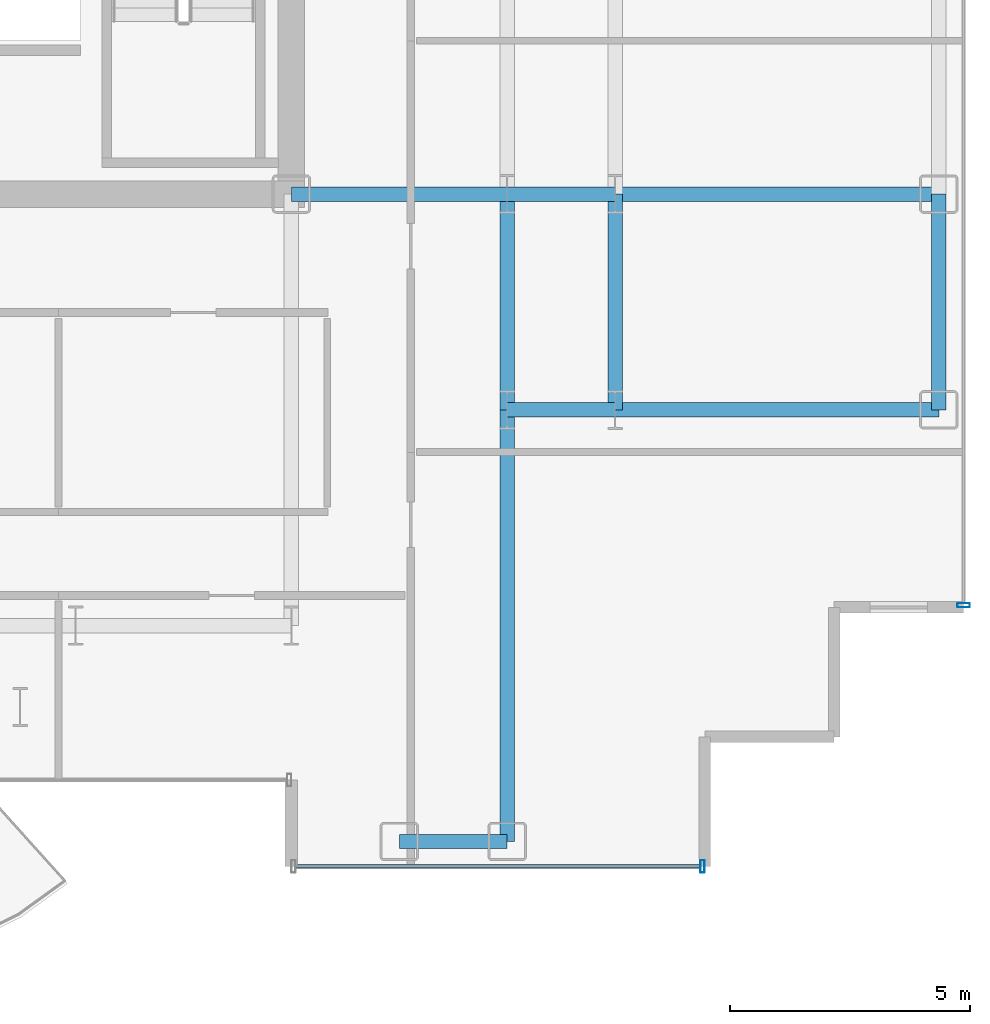
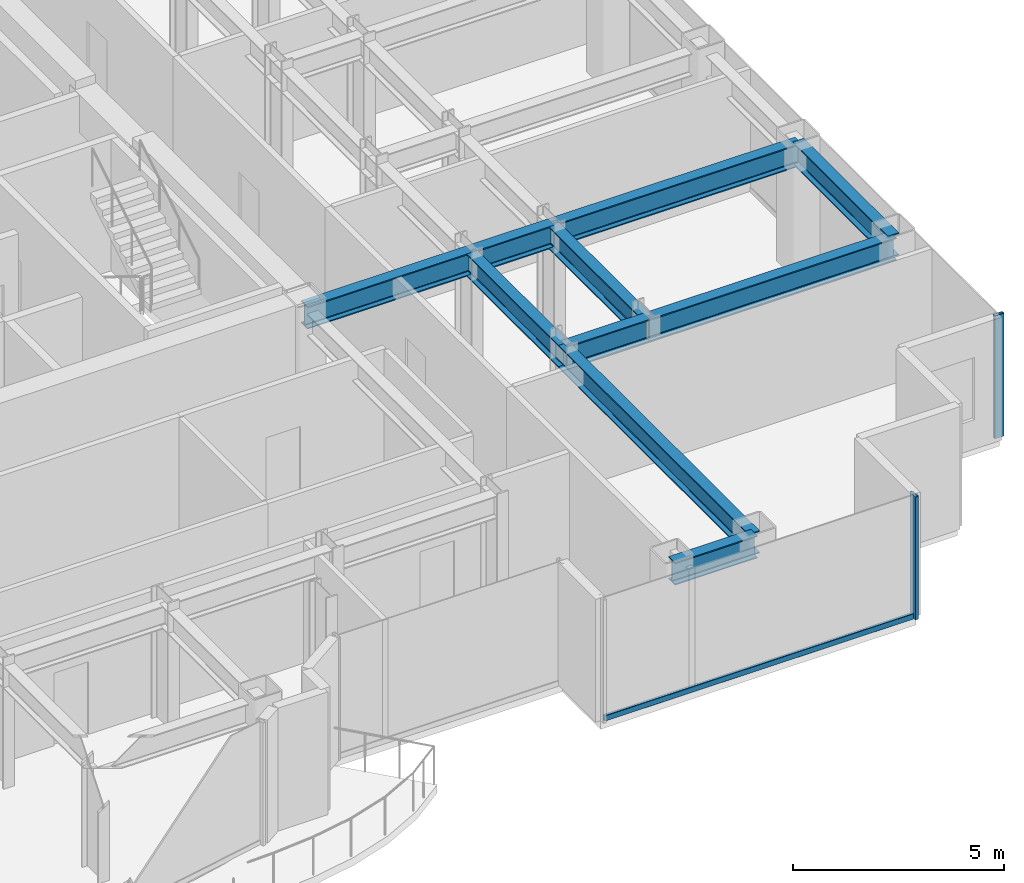
# One storey, part 8 of 22: 10 beams, 3 members, 2 elements without a shape of their own.
"""IFC4 building model written with IfcOpenShell, lengths in metres."""

from ifc_helpers import new_model, si_unit, direction, frame, origin, origin_2d, place, context, subcontext, project, spatial, hollow_rectangle, i_section, extrude, source, transform, mapped, material, layer, layer_set, material_profile, profile_set, type_object, element, aggregate, save


model = new_model("IFC4")

# Units and contexts
model_context = context("Model", 3, precision=1e-05, world=origin(), true_north=direction((0.0, 1.0)))
body_context = subcontext(model_context, "Body", "Model", "MODEL_VIEW")
ifc_project = project(units=[si_unit("LENGTHUNIT", "METRE"), si_unit("AREAUNIT", "SQUARE_METRE"), si_unit("VOLUMEUNIT", "CUBIC_METRE"), si_unit("PLANEANGLEUNIT", "RADIAN"), si_unit("MASSUNIT", "GRAM", prefix="KILO")], contexts=[model_context])

# Site, building, storey
site_placement = place(None, origin())
site = spatial("IfcSite", under=ifc_project, at=site_placement, CompositionType="ELEMENT")
building_placement = place(site_placement, origin())
building = spatial("IfcBuilding", under=site, at=building_placement, Name="Nefas-Gora Pilgrimage Tower", CompositionType="ELEMENT")
storey_placement = place(building_placement, frame((0.0, 0.0, 186.800048828125)))
storey = spatial("IfcBuildingStorey", under=building, at=storey_placement, Name="L46", CompositionType="ELEMENT", Elevation=186.800048828125)

# Beams
ifc_material_1 = material(Name="Steel S355", Category="steel")
ifc_material_profile_1 = material_profile(ifc_material_1, i_section(OverallWidth=0.300048828125, OverallDepth=0.64990234375, WebThickness=0.01611328125, FlangeThickness=0.031005859375, FilletRadius=0.027099609375, at=origin_2d()), Name="HEB 650")
ifc_profile_set_1 = profile_set([ifc_material_profile_1], Name="Steel S355")
beam_type_1 = type_object("IfcBeamType", Name="BM-SPN-HEB500", PredefinedType="SPANDREL", material=ifc_profile_set_1)
shared_shape_1 = source(origin(), body_context, "Body", "SweptSolid", [
    extrude(i_section(OverallWidth=0.300048828125, OverallDepth=0.64990234375, WebThickness=0.01611328125, FlangeThickness=0.031005859375, FilletRadius=0.027099609375, at=origin_2d()), origin(), (0.0, 0.0, 1.0), 4.5),
])
beam_1_placement = place(storey_placement, frame((24.75, -13.5, 3.224853515625), z_axis=(0.0, 1.0, 0.0), x_axis=(-1.0, 0.0, 0.0)))
element("IfcBeam", 1, at=beam_1_placement, inside=storey, type_object=beam_type_1, Name="L46 SP-02 beam", PredefinedType="SPANDREL", context=body_context, shape_type="MappedRepresentation", body=[
    mapped(shared_shape_1, transform((0.0, 0.0, 0.0), x_axis=(1.0, 0.0, 0.0), y_axis=(0.0, 1.0, 0.0), z_axis=(0.0, 0.0, 1.0), scale=1.0)),
])
ifc_material_profile_2 = material_profile(ifc_material_1, i_section(OverallWidth=0.300048828125, OverallDepth=0.64990234375, WebThickness=0.01611328125, FlangeThickness=0.031005859375, FilletRadius=0.027099609375, at=origin_2d()), Name="HEB 650")
ifc_profile_set_2 = profile_set([ifc_material_profile_2], Name="Steel S355")
beam_type_2 = type_object("IfcBeamType", Name="BM-GIR-HEB650", PredefinedType="BEAM", material=ifc_profile_set_2)
shared_shape_2 = source(origin(), body_context, "Body", "SweptSolid", [
    extrude(i_section(OverallWidth=0.300048828125, OverallDepth=0.64990234375, WebThickness=0.01611328125, FlangeThickness=0.031005859375, FilletRadius=0.027099609375, at=origin_2d()), origin(), (0.0, 0.0, 1.0), 9.0),
])
beam_2_placement = place(storey_placement, frame((15.75, -22.5, 3.224853515625), z_axis=(0.0, 1.0, 0.0), x_axis=(-1.0, 0.0, 0.0)))
element("IfcBeam", 2, at=beam_2_placement, inside=storey, type_object=beam_type_2, Name="L46 G-03 beam", PredefinedType="BEAM", context=body_context, shape_type="MappedRepresentation", body=[
    mapped(shared_shape_2, transform((0.0, 0.0, 0.0), x_axis=(1.0, 0.0, 0.0), y_axis=(0.0, 1.0, 0.0), z_axis=(0.0, 0.0, 1.0), scale=1.0)),
])
shared_shape_3 = source(origin(), body_context, "Body", "SweptSolid", [
    extrude(i_section(OverallWidth=0.300048828125, OverallDepth=0.64990234375, WebThickness=0.01611328125, FlangeThickness=0.031005859375, FilletRadius=0.027099609375, at=origin_2d()), origin(), (0.0, 0.0, 1.0), 4.5),
])
for number, where, z_axis, x_axis, name in (
    (3, (11.25, -9.0, 3.224853515625), (1.0, 0.0, 0.0), (0.0, 1.0, 0.0), "L46 G-03 beam"),
    (4, (15.75, -13.5, 3.224853515625), (0.0, 1.0, 0.0), (-1.0, 0.0, 0.0), "L46 G-03 beam"),
    (5, (18.0, -13.5, 3.224853515625), (0.0, 1.0, 0.0), (-1.0, 0.0, 0.0), "L46 G-03 beam"),
):
    element("IfcBeam", number, at=place(storey_placement, frame(where, z_axis=z_axis, x_axis=x_axis)), inside=storey, type_object=beam_type_2, Name=name, PredefinedType="BEAM", context=body_context, shape_type="MappedRepresentation", body=[
        mapped(shared_shape_3, transform((0.0, 0.0, 0.0), x_axis=(1.0, 0.0, 0.0), y_axis=(0.0, 1.0, 0.0), z_axis=(0.0, 0.0, 1.0), scale=1.0)),
    ])
shared_shape_4 = source(origin(), body_context, "Body", "SweptSolid", [
    extrude(i_section(OverallWidth=0.300048828125, OverallDepth=0.64990234375, WebThickness=0.01611328125, FlangeThickness=0.031005859375, FilletRadius=0.027099609375, at=origin_2d()), origin(), (0.0, 0.0, 1.0), 6.75),
])
for number, where, z_axis, x_axis, name in (
    (6, (18.0, -13.5, 3.224853515625), (1.0, 0.0, 0.0), (0.0, 1.0, 0.0), "L46 G-03 beam"),
    (7, (18.0, -9.0, 3.224853515625), (1.0, 0.0, 0.0), (0.0, 1.0, 0.0), "L46 G-03 beam"),
):
    element("IfcBeam", number, at=place(storey_placement, frame(where, z_axis=z_axis, x_axis=x_axis)), inside=storey, type_object=beam_type_2, Name=name, PredefinedType="BEAM", context=body_context, shape_type="MappedRepresentation", body=[
        mapped(shared_shape_4, transform((0.0, 0.0, 0.0), x_axis=(1.0, 0.0, 0.0), y_axis=(0.0, 1.0, 0.0), z_axis=(0.0, 0.0, 1.0), scale=1.0)),
    ])
shared_shape_5 = source(origin(), body_context, "Body", "SweptSolid", [
    extrude(i_section(OverallWidth=0.300048828125, OverallDepth=0.64990234375, WebThickness=0.01611328125, FlangeThickness=0.031005859375, FilletRadius=0.027099609375, at=origin_2d()), origin(), (0.0, 0.0, 1.0), 2.25),
])
beam_3_placement = place(storey_placement, frame((13.5, -22.5, 3.224853515625), z_axis=(1.0, 0.0, 0.0), x_axis=(0.0, 1.0, 0.0)))
element("IfcBeam", 8, at=beam_3_placement, inside=storey, type_object=beam_type_1, Name="L46 SP-02 beam", PredefinedType="SPANDREL", context=body_context, shape_type="MappedRepresentation", body=[
    mapped(shared_shape_5, transform((0.0, 0.0, 0.0), x_axis=(1.0, 0.0, 0.0), y_axis=(0.0, 1.0, 0.0), z_axis=(0.0, 0.0, 1.0), scale=1.0)),
])
shared_shape_6 = source(origin(), body_context, "Body", "SweptSolid", [
    extrude(i_section(OverallWidth=0.300048828125, OverallDepth=0.64990234375, WebThickness=0.01611328125, FlangeThickness=0.031005859375, FilletRadius=0.027099609375, at=origin_2d()), origin(), (0.0, 0.0, 1.0), 2.25),
])
for number, where, z_axis, x_axis, name in (
    (9, (15.75, -13.5, 3.224853515625), (1.0, 0.0, 0.0), (0.0, 1.0, 0.0), "L46 G-03 beam"),
    (10, (15.75, -9.0, 3.224853515625), (1.0, 0.0, 0.0), (0.0, 1.0, 0.0), "L46 G-03 beam"),
):
    element("IfcBeam", number, at=place(storey_placement, frame(where, z_axis=z_axis, x_axis=x_axis)), inside=storey, type_object=beam_type_2, Name=name, PredefinedType="BEAM", context=body_context, shape_type="MappedRepresentation", body=[
        mapped(shared_shape_6, transform((0.0, 0.0, 0.0), x_axis=(1.0, 0.0, 0.0), y_axis=(0.0, 1.0, 0.0), z_axis=(0.0, 0.0, 1.0), scale=1.0)),
    ])

# Curtain wall, member
ifc_material_2 = material(Name="Dark ceramic-fritted solar-control aluminium-glass curtain wall", Category="aluminium")
ifc_layer = layer(ifc_material_2, 0.219970703125)
ifc_layer_set = layer_set([ifc_layer], Name="Dark ceramic-fritted solar-control aluminium-glass curtain wall")
curtain_wall_type = type_object("IfcCurtainWallType", Name="CW-SYS-3", PredefinedType="NOTDEFINED", material=ifc_layer_set)
curtain_wall_1_placement = place(storey_placement, origin())
curtain_wall_1 = element("IfcCurtainWall", 11, at=curtain_wall_1_placement, inside=storey, type_object=curtain_wall_type, Name="L46 Unitised Curtain Wall CW3", PredefinedType="NOTDEFINED")
ifc_material_3 = material(Name="Anodised architectural aluminium", Category="aluminium")
ifc_material_profile_3 = material_profile(ifc_material_3, hollow_rectangle(XDim=0.090087890625, YDim=0.260009765625, WallThickness=0.006103515625, InnerFilletRadius=0.006103515625, OuterFilletRadius=0.011962890625, at=origin_2d()), Name="ALU MULLION 90x260")
ifc_profile_set_3 = profile_set([ifc_material_profile_3], Name="Anodised architectural aluminium")
member_type_1 = type_object("IfcMemberType", Name="CWM-MUL-3", PredefinedType="MULLION", material=ifc_profile_set_3)
shared_shape_7 = source(origin(), body_context, "Body", "SweptSolid", [
    extrude(hollow_rectangle(XDim=0.090087890625, YDim=0.260009765625, WallThickness=0.006103515625, InnerFilletRadius=0.006103515625, OuterFilletRadius=0.011962890625, at=origin_2d()), origin(), (0.0, 0.0, 1.0), 3.550048828125),
])
member_1_placement = place(storey_placement, frame((19.824951171875, -23.02001953125, 0.0), z_axis=(0.0, 0.0, 1.0), x_axis=(1.0, 0.0, 0.0)))
member_1 = element("IfcMember", 12, at=member_1_placement, type_object=member_type_1, Name="CW3 Mullion 2", PredefinedType="MULLION", context=body_context, shape_type="MappedRepresentation", body=[
    mapped(shared_shape_7, transform((0.0, 0.0, 0.0), x_axis=(1.0, 0.0, 0.0), y_axis=(0.0, 1.0, 0.0), z_axis=(0.0, 0.0, 1.0), scale=1.0)),
])

curtain_wall_2_placement = place(storey_placement, origin())
curtain_wall_2 = element("IfcCurtainWall", 13, at=curtain_wall_2_placement, inside=storey, type_object=curtain_wall_type, Name="L46 Unitised Curtain Wall CW3", PredefinedType="NOTDEFINED")
member_2_placement = place(storey_placement, frame((25.27001953125, -17.574951171875, 0.0), z_axis=(0.0, 0.0, 1.0), x_axis=(0.0, 1.0, 0.0)))
member_2 = element("IfcMember", 14, at=member_2_placement, type_object=member_type_1, Name="CW3 Mullion 1", PredefinedType="MULLION", context=body_context, shape_type="MappedRepresentation", body=[
    mapped(shared_shape_7, transform((0.0, 0.0, 0.0), x_axis=(1.0, 0.0, 0.0), y_axis=(0.0, 1.0, 0.0), z_axis=(0.0, 0.0, 1.0), scale=1.0)),
])
aggregate(curtain_wall_2, [member_2])

# Member
ifc_material_profile_4 = material_profile(ifc_material_3, hollow_rectangle(XDim=0.080078125, YDim=0.159912109375, WallThickness=0.00439453125, InnerFilletRadius=0.00439453125, OuterFilletRadius=0.009033203125, at=origin_2d()), Name="ALU TRANSOM 80x160")
ifc_profile_set_4 = profile_set([ifc_material_profile_4], Name="Anodised architectural aluminium")
member_type_2 = type_object("IfcMemberType", Name="CWM-TRN-3", PredefinedType="USERDEFINED", material=ifc_profile_set_4)
shared_shape_8 = source(origin(), body_context, "Body", "SweptSolid", [
    extrude(hollow_rectangle(XDim=0.080078125, YDim=0.159912109375, WallThickness=0.00439453125, InnerFilletRadius=0.00439453125, OuterFilletRadius=0.009033203125, at=origin_2d()), origin(), (0.0, 0.0, 1.0), 8.43994140625),
])
member_3_placement = place(storey_placement, frame((11.340087890625, -23.02001953125, 0.050048828125), z_axis=(1.0, 0.0, 0.0), x_axis=(0.0, 1.0, 0.0)))
member_3 = element("IfcMember", 15, at=member_3_placement, type_object=member_type_2, Name="CW3 Spandrel Transom", ObjectType="TRANSOM", PredefinedType="USERDEFINED", context=body_context, shape_type="MappedRepresentation", body=[
    mapped(shared_shape_8, transform((0.0, 0.0, 0.0), x_axis=(1.0, 0.0, 0.0), y_axis=(0.0, 1.0, 0.0), z_axis=(0.0, 0.0, 1.0), scale=1.0)),
])

aggregate(curtain_wall_1, [member_1, member_3])

save(model, "model.ifc")
